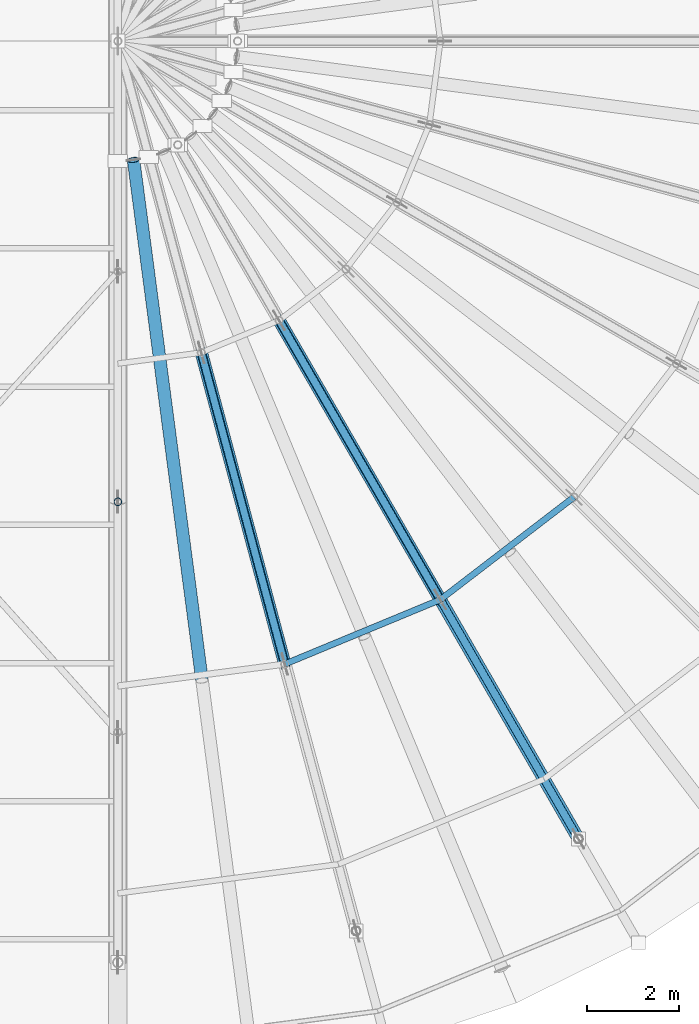
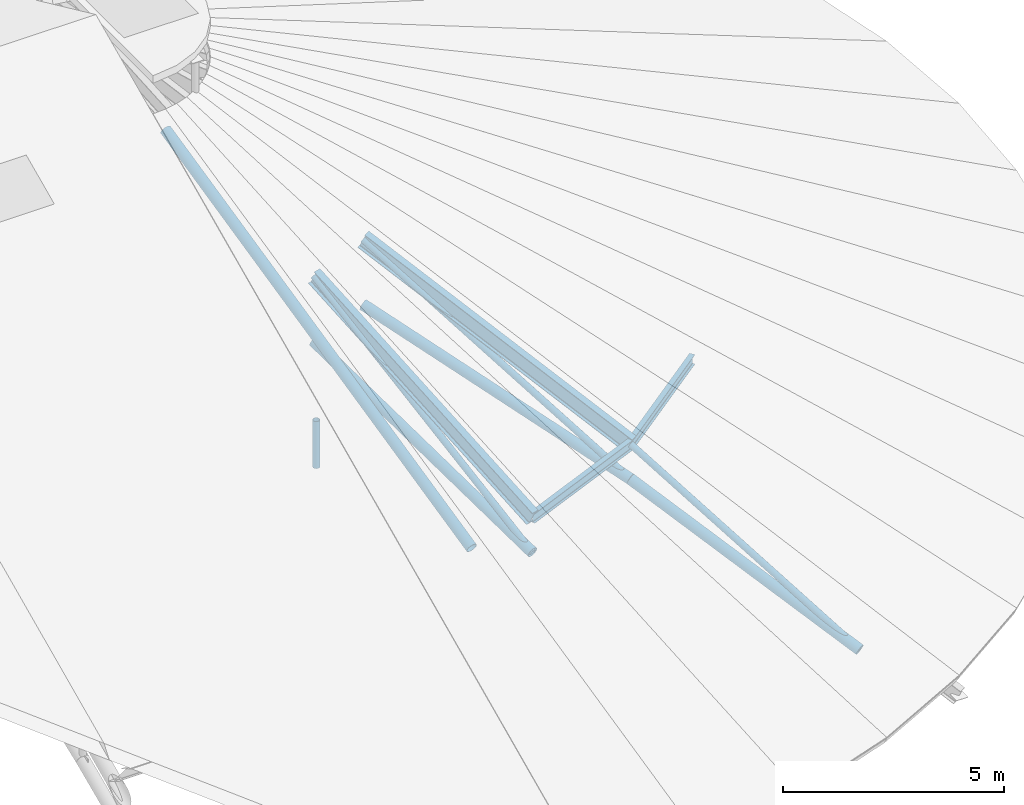
# One storey, part 34 of 107: 12 members.
"""IFC4 building model written with IfcOpenShell, lengths in metres."""

from ifc_helpers import new_model, si_unit, derived_unit, direction, frame, origin, origin_2d, place, context, subcontext, project, spatial, hollow_circle, i_section, extrude, material, material_profile, profile_set, type_object, element, save


model = new_model("IFC4")

# Units and contexts
model_context = context("Model", 3, precision=1e-05, world=origin(), true_north=direction((0.0, 1.0)))
body_context = subcontext(model_context, "Body", "Model", "MODEL_VIEW")
ifc_project = project(units=[si_unit("LENGTHUNIT", "METRE"), si_unit("AREAUNIT", "SQUARE_METRE"), si_unit("VOLUMEUNIT", "CUBIC_METRE"), si_unit("PLANEANGLEUNIT", "RADIAN"), si_unit("MASSUNIT", "GRAM", prefix="KILO"), si_unit("THERMODYNAMICTEMPERATUREUNIT", "KELVIN"), si_unit("TIMEUNIT", "SECOND"), derived_unit("THERMALTRANSMITTANCEUNIT", [(si_unit("MASSUNIT", "GRAM", prefix="KILO"), 1), (si_unit("THERMODYNAMICTEMPERATUREUNIT", "KELVIN"), -1), (si_unit("TIMEUNIT", "SECOND"), -3)])], contexts=[model_context])

# Site, building, storey
site_placement = place(None, origin())
site = spatial("IfcSite", under=ifc_project, at=site_placement, CompositionType="ELEMENT")
building_placement = place(site_placement, origin())
building = spatial("IfcBuilding", under=site, at=building_placement, Name="Cambertide Market Hall", CompositionType="ELEMENT")
storey_placement = place(building_placement, frame((0.0, 0.0, 18.300048828125)))
storey = spatial("IfcBuildingStorey", under=building, at=storey_placement, Name="RF", CompositionType="ELEMENT", Elevation=18.300048828125)

# Members
ifc_material_1 = material(Name="Steel S355", Category="steel")
ifc_material_profile_1 = material_profile(ifc_material_1, hollow_circle(Radius=0.136474609375, WallThickness=0.010009765625, at=origin_2d()), Name="CHS 273x10")
ifc_profile_set_1 = profile_set([ifc_material_profile_1], Name="Steel S355")
member_type_1 = type_object("IfcMemberType", Name="Arched Truss Chord CHS 273x10", PredefinedType="CHORD", material=ifc_profile_set_1)
member_1_placement = place(storey_placement, frame((106.811767578125, 65.238525390625, -5.381591796875), z_axis=(0.245105868419, -0.914729420004, -0.321236986422), x_axis=(0.965924543531, 0.258823832372, 0.0)))
element("IfcMember", 1, at=member_1_placement, inside=storey, type_object=member_type_1, Name="Half-Cone Radial Arch Chord E-02-2", PredefinedType="CHORD", context=body_context, shape_type="SweptSolid", body=[
    extrude(hollow_circle(Radius=0.136474609375, WallThickness=0.010009765625, at=origin_2d()), origin(), (0.0, 0.0, 1.0), 7.391845703125),
])
member_2_placement = place(storey_placement, frame((108.5, 65.937744140625, -5.381591796875), z_axis=(0.473508125204, -0.820117658259, -0.321243026348), x_axis=(0.866019471182, 0.500010275428, 0.0)))
element("IfcMember", 2, at=member_2_placement, inside=storey, type_object=member_type_1, Name="Half-Cone Radial Arch Chord E-04-2", PredefinedType="CHORD", context=body_context, shape_type="SweptSolid", body=[
    extrude(hollow_circle(Radius=0.136474609375, WallThickness=0.010009765625, at=origin_2d()), origin(), (0.0, 0.0, 1.0), 7.3916015625),
])
member_3_placement = place(storey_placement, frame((112.0, 59.875732421875, -7.756103515625), z_axis=(0.458098458952, -0.7934706706, -0.400687030991), x_axis=(0.866031096941, 0.499990139034, 0.0)))
element("IfcMember", 3, at=member_3_placement, inside=storey, type_object=member_type_1, Name="Half-Cone Radial Arch Chord E-04-3", PredefinedType="CHORD", context=body_context, shape_type="SweptSolid", body=[
    extrude(hollow_circle(Radius=0.136474609375, WallThickness=0.010009765625, at=origin_2d()), origin(), (0.0, 0.0, 1.0), 6.548828125),
])
ifc_material_2 = material(Name="Steel S355", Category="steel")
ifc_material_profile_2 = material_profile(ifc_material_2, hollow_circle(Radius=0.136474609375, WallThickness=0.010009765625, at=origin_2d()), Name="CHS 273x10")
ifc_profile_set_2 = profile_set([ifc_material_profile_2], Name="Steel S355")
member_type_2 = type_object("IfcMemberType", Name="Radial Fan Rafter CHS 273x10", PredefinedType="RAFTER", material=ifc_profile_set_2)
member_4_placement = place(storey_placement, frame((105.33935546875, 69.42236328125, -1.546142578125), z_axis=(0.11858507454, -0.900721251164, -0.417898083027), x_axis=(0.991444452242, 0.130529299847, 0.0)))
element("IfcMember", 4, at=member_4_placement, inside=storey, type_object=member_type_2, Name="RAF-E-01-A", PredefinedType="RAFTER", context=body_context, shape_type="SweptSolid", body=[
    extrude(hollow_circle(Radius=0.136474609375, WallThickness=0.010009765625, at=origin_2d()), origin(), (0.0, 0.0, 1.0), 12.54833984375),
])
ifc_material_3 = material(Name="Steel S355", Category="steel")
ifc_material_profile_3 = material_profile(ifc_material_3, i_section(OverallWidth=0.18994140625, OverallDepth=0.449951171875, WebThickness=0.009521484375, FlangeThickness=0.0146484375, FilletRadius=0.02099609375, at=origin_2d()), Name="IPE 450")
ifc_profile_set_3 = profile_set([ifc_material_profile_3], Name="Steel S355")
member_type_3 = type_object("IfcMemberType", Name="Radial Fan Rafter IPE 450", PredefinedType="RAFTER", material=ifc_profile_set_3)
member_5_placement = place(storey_placement, frame((106.811767578125, 65.238525390625, -3.570068359375), z_axis=(0.235139371303, -0.877534683767, -0.417902326925), x_axis=(0.965924543531, 0.258823832372, 0.0)))
element("IfcMember", 5, at=member_5_placement, inside=storey, type_object=member_type_3, Name="Half-Cone Radial Truss Rafter E-02-2", PredefinedType="RAFTER", context=body_context, shape_type="SweptSolid", body=[
    extrude(i_section(OverallWidth=0.18994140625, OverallDepth=0.449951171875, WebThickness=0.009521484375, FlangeThickness=0.0146484375, FilletRadius=0.02099609375, at=origin_2d()), origin(), (0.0, 0.0, 1.0), 7.705078125),
])
member_6_placement = place(storey_placement, frame((108.5, 65.937744140625, -3.570068359375), z_axis=(0.454253652919, -0.786768847794, -0.417909558339), x_axis=(0.866019471182, 0.500010275428, 0.0)))
element("IfcMember", 6, at=member_6_placement, inside=storey, type_object=member_type_3, Name="Half-Cone Radial Truss Rafter E-04-2", PredefinedType="RAFTER", context=body_context, shape_type="SweptSolid", body=[
    extrude(i_section(OverallWidth=0.18994140625, OverallDepth=0.449951171875, WebThickness=0.009521484375, FlangeThickness=0.0146484375, FilletRadius=0.02099609375, at=origin_2d()), origin(), (0.0, 0.0, 1.0), 7.704833984375),
])
ifc_material_4 = material(Name="Steel S275", Category="steel")
ifc_material_profile_4 = material_profile(ifc_material_4, i_section(OverallWidth=0.135009765625, OverallDepth=0.27001953125, WebThickness=0.006591796875, FlangeThickness=0.01025390625, FilletRadius=0.014892578125, at=origin_2d()), Name="IPE 270")
ifc_profile_set_4 = profile_set([ifc_material_profile_4], Name="Steel S275")
member_type_4 = type_object("IfcMemberType", Name="Roof Purlin IPE 270", PredefinedType="PURLIN", material=ifc_profile_set_4)
for number, where, z_axis, x_axis, name in (
    (7, (108.62353515625, 58.47705078125, -6.7900390625), (0.923869460704, 0.382707746954, 0.0), (-0.382707746954, 0.923869460704, 0.0), "CPUR-E-140-02"),
    (8, (112.0, 59.875732421875, -6.7900390625), (0.793346091011, 0.608770876338, 0.0), (-0.608770876338, 0.793346091011, 0.0), "CPUR-E-140-03"),
):
    element("IfcMember", number, at=place(storey_placement, frame(where, z_axis=z_axis, x_axis=x_axis)), inside=storey, type_object=member_type_4, Name=name, PredefinedType="PURLIN", context=body_context, shape_type="SweptSolid", body=[
        extrude(i_section(OverallWidth=0.135009765625, OverallDepth=0.27001953125, WebThickness=0.006591796875, FlangeThickness=0.01025390625, FilletRadius=0.014892578125, at=origin_2d()), origin(), (0.0, 0.0, 1.0), 3.65478515625),
    ])
ifc_material_5 = material(Name="Steel S355", Category="steel")
ifc_material_profile_5 = material_profile(ifc_material_5, hollow_circle(Radius=0.084228515625, WallThickness=0.00634765625, at=origin_2d()), Name="CHS 168.3x6.3")
ifc_profile_set_5 = profile_set([ifc_material_profile_5], Name="Steel S355")
member_type_5 = type_object("IfcMemberType", Name="Structural Brace CHS 168.3x6.3", PredefinedType="BRACE", material=ifc_profile_set_5)
member_7_placement = place(storey_placement, frame((105.0, 62.0, -6.251220703125), z_axis=(0.0, 0.0, 1.0), x_axis=(1.0, 0.0, 0.0)))
element("IfcMember", 9, at=member_7_placement, inside=storey, type_object=member_type_5, Name="Roof Truss 8 Web Post 3", PredefinedType="BRACE", context=body_context, shape_type="SweptSolid", body=[
    extrude(hollow_circle(Radius=0.084228515625, WallThickness=0.00634765625, at=origin_2d()), origin(), (0.0, 0.0, 1.0), 1.30126953125),
])
member_8_placement = place(storey_placement, frame((108.62353515625, 58.47705078125, -7.756103515625), z_axis=(-0.222134899502, 0.829002296418, 0.513236085011), x_axis=(-0.965924543531, -0.258823832372, 0.0)))
element("IfcMember", 10, at=member_8_placement, inside=storey, type_object=member_type_5, Name="RWB-E-02-D2", PredefinedType="BRACE", context=body_context, shape_type="SweptSolid", body=[
    extrude(hollow_circle(Radius=0.084228515625, WallThickness=0.00634765625, at=origin_2d()), origin(), (0.0, 0.0, 1.0), 8.15625),
])
member_9_placement = place(storey_placement, frame((112.0, 59.875732421875, -7.756103515625), z_axis=(-0.429130184304, 0.743254916034, 0.513244010887), x_axis=(-0.866019471182, -0.500010275428, 0.0)))
element("IfcMember", 11, at=member_9_placement, inside=storey, type_object=member_type_5, Name="RWB-E-04-D2", PredefinedType="BRACE", context=body_context, shape_type="SweptSolid", body=[
    extrude(hollow_circle(Radius=0.084228515625, WallThickness=0.00634765625, at=origin_2d()), origin(), (0.0, 0.0, 1.0), 8.156005859375),
])
member_10_placement = place(storey_placement, frame((115.0, 54.679443359375, -10.380126953125), z_axis=(-0.429052626638, 0.743160490346, 0.513445546445), x_axis=(-0.866031096941, -0.499990139034, 0.0)))
element("IfcMember", 12, at=member_10_placement, inside=storey, type_object=member_type_5, Name="RWB-E-04-D3", PredefinedType="BRACE", context=body_context, shape_type="SweptSolid", body=[
    extrude(hollow_circle(Radius=0.084228515625, WallThickness=0.00634765625, at=origin_2d()), origin(), (0.0, 0.0, 1.0), 6.9921875),
])

save(model, "model.ifc")
